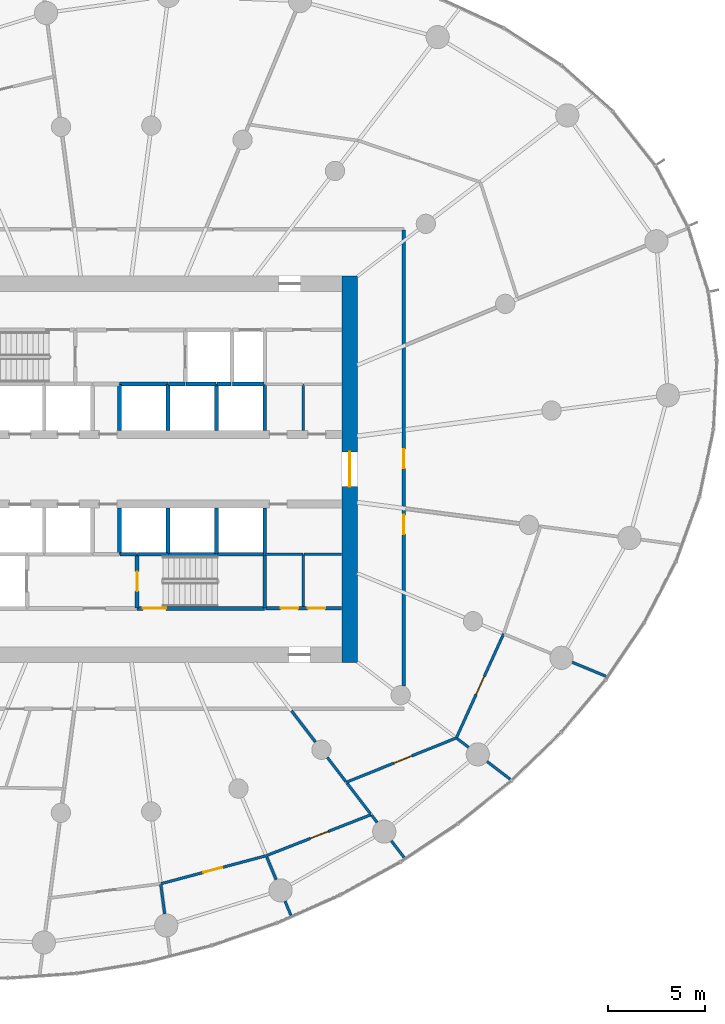
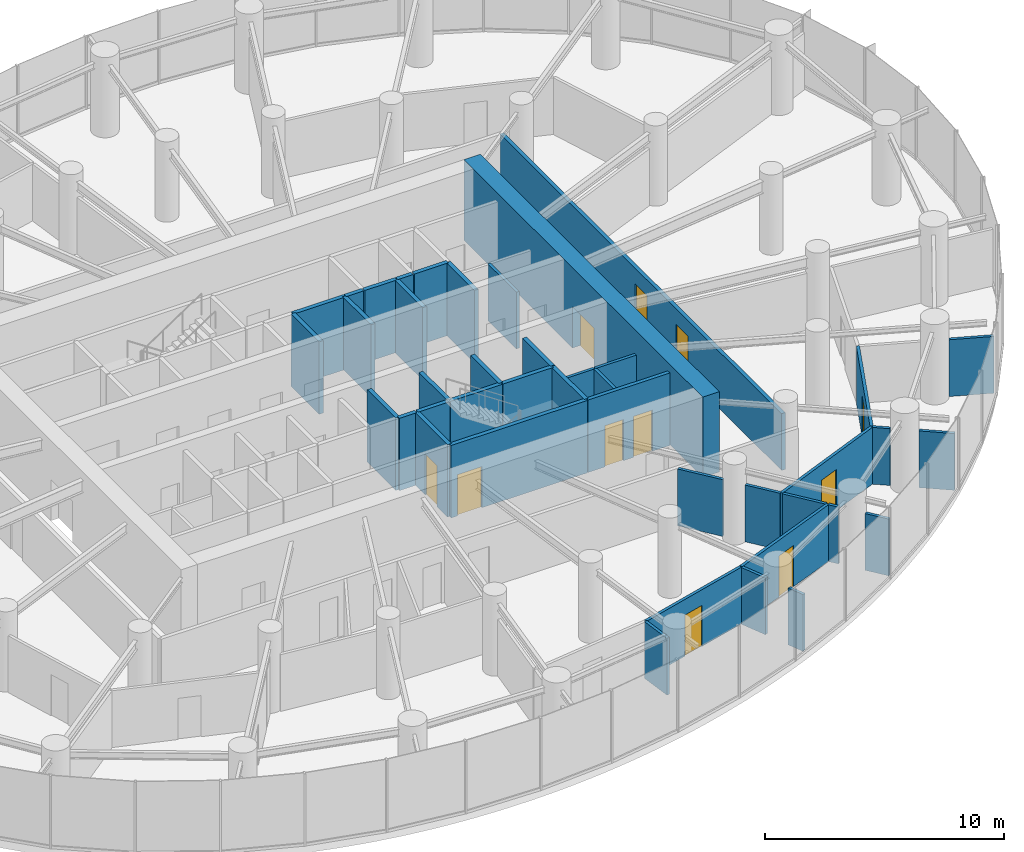
# One storey, part 12 of 17: 42 walls, 11 doors, 11 openings.
"""IFC4 building model written with IfcOpenShell, lengths in metres."""

from ifc_helpers import new_model, si_unit, direction, frame, frame_2d, origin, place, context, subcontext, project, spatial, rectangle, extrude, source, transform, mapped, material, layer, layer_set, type_object, element, fill, save


model = new_model("IFC4")

# Units and contexts
model_context = context("Model", 3, precision=1e-05, world=origin(), true_north=direction((0.0, 1.0)))
body_context = subcontext(model_context, "Body", "Model", "MODEL_VIEW")
ifc_project = project(units=[si_unit("LENGTHUNIT", "METRE"), si_unit("AREAUNIT", "SQUARE_METRE"), si_unit("VOLUMEUNIT", "CUBIC_METRE"), si_unit("PLANEANGLEUNIT", "RADIAN"), si_unit("MASSUNIT", "GRAM", prefix="KILO")], contexts=[model_context])

# Site, building, storey
site_placement = place(None, origin())
site = spatial("IfcSite", under=ifc_project, at=site_placement, CompositionType="ELEMENT")
building_placement = place(site_placement, origin())
building = spatial("IfcBuilding", under=site, at=building_placement, Name="Spindrift Exchange Tower", CompositionType="ELEMENT")
storey_placement = place(building_placement, frame((0.0, 0.0, 88.0)))
storey = spatial("IfcBuildingStorey", under=building, at=storey_placement, Name="L20", CompositionType="ELEMENT", Elevation=88.0)

# Wall, opening, door
ifc_material_1 = material(Name="Concrete 65 MPa", Category="concrete")
ifc_layer_1 = layer(ifc_material_1, 0.800048828125)
ifc_layer_set_1 = layer_set([ifc_layer_1], Name="RC Core Wall 800 Concrete 65 MPa")
wall_type_1 = type_object("IfcWallType", Name="RC Core Wall 800 Concrete 65 MPa", PredefinedType="SHEAR", material=ifc_layer_set_1)
wall_1_placement = place(storey_placement, frame((64.60009765625, 38.0, 0.0), z_axis=(0.0, 0.0, 1.0), x_axis=(0.0, 1.0, 0.0)))
wall_1 = element("IfcWall", 1, at=wall_1_placement, inside=storey, type_object=wall_type_1, Name="Core wall E L20", PredefinedType="SHEAR", context=body_context, shape_type="SweptSolid", body=[
    extrude(rectangle(XDim=20.0, YDim=0.800048828125, at=frame_2d((10.0, 0.0))), origin(), (0.0, 0.0, 1.0), 4.10009765625),
])
opening_1_placement = place(wall_1_placement, frame((9.10009765625, 0.0, 0.0)))
opening_1 = element("IfcOpeningElement", 2, at=opening_1_placement, cuts=wall_1, Name="Opening L20-D2", PredefinedType="OPENING", context=body_context, shape_type="SweptSolid", body=[
    extrude(rectangle(XDim=1.800048828125, YDim=2.10009765625, at=frame_2d((0.89990234375, 1.050048828125))), frame((0.0, 0.409912109375, 0.0), z_axis=(0.0, -1.0, 0.0), x_axis=(1.0, 0.0, 0.0)), (0.0, 0.0, 1.0), 0.820068359375),
])
ifc_material_2 = material(Name="Timber-core fire door", Category="wood")
door_type_1 = type_object("IfcDoorType", Name="DR-LOBBY-1800", OperationType="NOTDEFINED", PredefinedType="DOOR", material=ifc_material_2)
shared_shape_1 = source(origin(), body_context, "Body", "SweptSolid", [
    extrude(rectangle(XDim=1.800048828125, YDim=2.10009765625, at=frame_2d((0.89990234375, 1.050048828125))), frame((0.0, 0.02490234375, 0.0), z_axis=(0.0, -1.0, 0.0), x_axis=(1.0, 0.0, 0.0)), (0.0, 0.0, 1.0), 0.050048828125),
])
door_1_placement = place(opening_1_placement, origin())
door_1 = element("IfcDoor", 3, at=door_1_placement, inside=storey, type_object=door_type_1, Name="L20 Lobby door 2", OperationType="SINGLE_SWING_LEFT", OverallHeight=2.10009765625, OverallWidth=1.800048828125, PredefinedType="DOOR", context=body_context, shape_type="MappedRepresentation", body=[
    mapped(shared_shape_1, transform((0.0, 0.0, 0.0), scale=1.0)),
])
fill(opening_1, door_1)

# Wall, openings, doors
ifc_material_3 = material(Name="Fire-rated plasterboard partition", Category="gypsum")
ifc_layer_2 = layer(ifc_material_3, 0.179931640625)
ifc_layer_set_2 = layer_set([ifc_layer_2], Name="W-CORR-180")
wall_type_2 = type_object("IfcWallType", Name="W-CORR-180", PredefinedType="PARTITIONING", material=ifc_layer_set_2)
wall_2_placement = place(storey_placement, frame((60.22998046875, 40.800048828125, 0.0), z_axis=(0.0, 0.0, 1.0), x_axis=(1.0, 0.0, 0.0)))
wall_2 = element("IfcWall", 4, at=wall_2_placement, inside=storey, type_object=wall_type_2, Name="L20 Partition wall 61", PredefinedType="PARTITIONING", context=body_context, shape_type="SweptSolid", body=[
    extrude(rectangle(XDim=3.949951171875, YDim=0.179931640625, at=frame_2d((1.97509765625, 0.0))), origin(), (0.0, 0.0, 1.0), 3.699951171875),
])
opening_2_placement = place(wall_2_placement, frame((0.800048828125, 0.0, 0.0)))
opening_2 = element("IfcOpeningElement", 5, at=opening_2_placement, cuts=wall_2, Name="Opening L20-D58", PredefinedType="OPENING", context=body_context, shape_type="SweptSolid", body=[
    extrude(rectangle(XDim=0.89990234375, YDim=2.10009765625, at=frame_2d((0.449951171875, 1.050048828125))), frame((0.0, 0.099853515625, 0.0), z_axis=(0.0, -1.0, 0.0), x_axis=(1.0, 0.0, 0.0)), (0.0, 0.0, 1.0), 0.199951171875),
])
opening_3_placement = place(wall_2_placement, frame((2.199951171875, 0.0, 0.0)))
opening_3 = element("IfcOpeningElement", 6, at=opening_3_placement, cuts=wall_2, Name="Opening L20-D59", PredefinedType="OPENING", context=body_context, shape_type="SweptSolid", body=[
    extrude(rectangle(XDim=0.89990234375, YDim=2.10009765625, at=frame_2d((0.449951171875, 1.050048828125))), frame((0.0, 0.099853515625, 0.0), z_axis=(0.0, -1.0, 0.0), x_axis=(1.0, 0.0, 0.0)), (0.0, 0.0, 1.0), 0.199951171875),
])
ifc_material_4 = material(Name="Steel access door", Category="steel")
door_type_2 = type_object("IfcDoorType", Name="DR-RISER-900", OperationType="NOTDEFINED", PredefinedType="DOOR", material=ifc_material_4)
shared_shape_2 = source(origin(), body_context, "Body", "SweptSolid", [
    extrude(rectangle(XDim=0.89990234375, YDim=2.10009765625, at=frame_2d((0.449951171875, 1.050048828125))), frame((0.0, 0.02490234375, 0.0), z_axis=(0.0, -1.0, 0.0), x_axis=(1.0, 0.0, 0.0)), (0.0, 0.0, 1.0), 0.050048828125),
])
door_2_placement = place(opening_2_placement, origin())
door_2 = element("IfcDoor", 7, at=door_2_placement, inside=storey, type_object=door_type_2, Name="L20 Riser door 58", OperationType="SINGLE_SWING_LEFT", OverallHeight=2.10009765625, OverallWidth=0.89990234375, PredefinedType="DOOR", context=body_context, shape_type="MappedRepresentation", body=[
    mapped(shared_shape_2, transform((0.0, 0.0, 0.0), scale=1.0)),
])
fill(opening_2, door_2)
door_3_placement = place(opening_3_placement, origin())
door_3 = element("IfcDoor", 8, at=door_3_placement, inside=storey, type_object=door_type_2, Name="L20 Riser door 59", OperationType="SINGLE_SWING_RIGHT", OverallHeight=2.10009765625, OverallWidth=0.89990234375, PredefinedType="DOOR", context=body_context, shape_type="MappedRepresentation", body=[
    mapped(shared_shape_2, transform((0.0, 0.0, 0.0), scale=1.0)),
])
fill(opening_3, door_3)

# Wall, opening, door
ifc_layer_3 = layer(ifc_material_3, 0.139892578125)
ifc_layer_set_3 = layer_set([ifc_layer_3], Name="W-PART-140")
wall_type_3 = type_object("IfcWallType", Name="W-PART-140", PredefinedType="PARTITIONING", material=ifc_layer_set_3)
wall_3_placement = place(storey_placement, frame((70.11083984375, 34.10302734375, 0.0), z_axis=(0.0, 0.0, 1.0), x_axis=(-0.927526515491, -0.373757358538, 0.0)))
wall_3 = element("IfcWall", 9, at=wall_3_placement, inside=storey, type_object=wall_type_3, Name="L20 Partition wall 72", PredefinedType="PARTITIONING", context=body_context, shape_type="SweptSolid", body=[
    extrude(rectangle(XDim=6.133056640625, YDim=0.139892578125, at=frame_2d((3.06640625, 0.0))), origin(), (0.0, 0.0, 1.0), 2.89990234375),
])
opening_4_placement = place(wall_3_placement, frame((2.48291015625, 0.0, 0.0)))
opening_4 = element("IfcOpeningElement", 10, at=opening_4_placement, cuts=wall_3, Name="Opening L20-D33", PredefinedType="OPENING", context=body_context, shape_type="SweptSolid", body=[
    extrude(rectangle(XDim=1.0, YDim=2.10009765625, at=frame_2d((0.5, 1.050048828125))), frame((0.0, 0.079833984375, 0.0), z_axis=(0.0, -1.0, 0.0), x_axis=(1.0, 0.0, 0.0)), (0.0, 0.0, 1.0), 0.159912109375),
])
door_type_3 = type_object("IfcDoorType", Name="DR-ROOM-1000", OperationType="NOTDEFINED", PredefinedType="DOOR", material=ifc_material_2)
shared_shape_3 = source(origin(), body_context, "Body", "SweptSolid", [
    extrude(rectangle(XDim=1.0, YDim=2.10009765625, at=frame_2d((0.5, 1.050048828125))), frame((0.0, 0.02490234375, 0.0), z_axis=(0.0, -1.0, 0.0), x_axis=(1.0, 0.0, 0.0)), (0.0, 0.0, 1.0), 0.050048828125),
])
door_4_placement = place(opening_4_placement, origin())
door_4 = element("IfcDoor", 11, at=door_4_placement, inside=storey, type_object=door_type_3, Name="L20 Door 33", OperationType="SINGLE_SWING_RIGHT", OverallHeight=2.10009765625, OverallWidth=1.0, PredefinedType="DOOR", context=body_context, shape_type="MappedRepresentation", body=[
    mapped(shared_shape_3, transform((0.0, 0.0, 0.0), scale=1.0)),
])
fill(opening_4, door_4)

wall_4_placement = place(storey_placement, frame((72.554931640625, 39.48583984375, 0.0), z_axis=(0.0, 0.0, 1.0), x_axis=(-0.413427624121, -0.91053698421, 0.0)))
wall_4 = element("IfcWall", 12, at=wall_4_placement, inside=storey, type_object=wall_type_3, Name="L20 Partition wall 76", PredefinedType="PARTITIONING", context=body_context, shape_type="SweptSolid", body=[
    extrude(rectangle(XDim=5.881591796875, YDim=0.139892578125, at=frame_2d((2.94091796875, 0.0))), origin(), (0.0, 0.0, 1.0), 2.89990234375),
])
opening_5_placement = place(wall_4_placement, frame((2.431640625, 0.0, 0.0)))
opening_5 = element("IfcOpeningElement", 13, at=opening_5_placement, cuts=wall_4, Name="Opening L20-D34", PredefinedType="OPENING", context=body_context, shape_type="SweptSolid", body=[
    extrude(rectangle(XDim=1.0, YDim=2.10009765625, at=frame_2d((0.5, 1.050048828125))), frame((0.0, 0.079833984375, 0.0), z_axis=(0.0, -1.0, 0.0), x_axis=(1.0, 0.0, 0.0)), (0.0, 0.0, 1.0), 0.159912109375),
])
door_5_placement = place(opening_5_placement, origin())
door_5 = element("IfcDoor", 14, at=door_5_placement, inside=storey, type_object=door_type_3, Name="L20 Door 34", OperationType="SINGLE_SWING_LEFT", OverallHeight=2.10009765625, OverallWidth=1.0, PredefinedType="DOOR", context=body_context, shape_type="MappedRepresentation", body=[
    mapped(shared_shape_3, transform((0.0, 0.0, 0.0), scale=1.0)),
])
fill(opening_5, door_5)

wall_5_placement = place(storey_placement, frame((65.706298828125, 30.137451171875, 0.0), z_axis=(0.0, 0.0, 1.0), x_axis=(-0.931147570947, -0.364642566247, 0.0)))
wall_5 = element("IfcWall", 15, at=wall_5_placement, inside=storey, type_object=wall_type_3, Name="L20 Partition wall 79", PredefinedType="PARTITIONING", context=body_context, shape_type="SweptSolid", body=[
    extrude(rectangle(XDim=5.828369140625, YDim=0.139892578125, at=frame_2d((2.9140625, 0.0))), origin(), (0.0, 0.0, 1.0), 2.89990234375),
])
opening_6_placement = place(wall_5_placement, frame((2.37841796875, 0.0, 0.0)))
opening_6 = element("IfcOpeningElement", 16, at=opening_6_placement, cuts=wall_5, Name="Opening L20-D30", PredefinedType="OPENING", context=body_context, shape_type="SweptSolid", body=[
    extrude(rectangle(XDim=1.0, YDim=2.10009765625, at=frame_2d((0.5, 1.050048828125))), frame((0.0, 0.079833984375, 0.0), z_axis=(0.0, -1.0, 0.0), x_axis=(1.0, 0.0, 0.0)), (0.0, 0.0, 1.0), 0.159912109375),
])
door_6_placement = place(opening_6_placement, origin())
door_6 = element("IfcDoor", 17, at=door_6_placement, inside=storey, type_object=door_type_3, Name="L20 Door 30", OperationType="SINGLE_SWING_LEFT", OverallHeight=2.10009765625, OverallWidth=1.0, PredefinedType="DOOR", context=body_context, shape_type="MappedRepresentation", body=[
    mapped(shared_shape_3, transform((0.0, 0.0, 0.0), scale=1.0)),
])
fill(opening_6, door_6)

wall_6_placement = place(storey_placement, frame((60.250244140625, 28.00439453125, 0.0), z_axis=(0.0, 0.0, 1.0), x_axis=(-0.966384922243, -0.257099556711, 0.0)))
wall_6 = element("IfcWall", 18, at=wall_6_placement, inside=storey, type_object=wall_type_3, Name="L20 Partition wall 82", PredefinedType="PARTITIONING", context=body_context, shape_type="SweptSolid", body=[
    extrude(rectangle(XDim=5.58642578125, YDim=0.139892578125, at=frame_2d((2.793212890625, 0.0))), origin(), (0.0, 0.0, 1.0), 2.89990234375),
])
opening_7_placement = place(wall_6_placement, frame((2.33642578125, 0.0, 0.0)))
opening_7 = element("IfcOpeningElement", 19, at=opening_7_placement, cuts=wall_6, Name="Opening L20-D29", PredefinedType="OPENING", context=body_context, shape_type="SweptSolid", body=[
    extrude(rectangle(XDim=1.0, YDim=2.10009765625, at=frame_2d((0.5, 1.050048828125))), frame((0.0, 0.079833984375, 0.0), z_axis=(0.0, -1.0, 0.0), x_axis=(1.0, 0.0, 0.0)), (0.0, 0.0, 1.0), 0.159912109375),
])
door_7_placement = place(opening_7_placement, origin())
door_7 = element("IfcDoor", 20, at=door_7_placement, inside=storey, type_object=door_type_3, Name="L20 Door 29", OperationType="SINGLE_SWING_RIGHT", OverallHeight=2.10009765625, OverallWidth=1.0, PredefinedType="DOOR", context=body_context, shape_type="MappedRepresentation", body=[
    mapped(shared_shape_3, transform((0.0, 0.0, 0.0), scale=1.0)),
])
fill(opening_7, door_7)

# Walls
wall_7_placement = place(storey_placement, frame((62.199951171875, 40.889892578125, 0.0), z_axis=(0.0, 0.0, 1.0), x_axis=(0.0, 1.0, 0.0)))
element("IfcWall", 21, at=wall_7_placement, inside=storey, type_object=wall_type_3, Name="L20 Partition wall 102", PredefinedType="PARTITIONING", context=body_context, shape_type="SweptSolid", body=[
    extrude(rectangle(XDim=2.710205078125, YDim=0.139892578125, at=frame_2d((1.35498046875, 0.0))), origin(), (0.0, 0.0, 1.0), 2.89990234375),
])
wall_8_placement = place(storey_placement, frame((62.199951171875, 50.010009765625, 0.0), z_axis=(0.0, 0.0, 1.0), x_axis=(0.0, 1.0, 0.0)))
element("IfcWall", 22, at=wall_8_placement, inside=storey, type_object=wall_type_3, Name="L20 Partition wall 106", PredefinedType="PARTITIONING", context=body_context, shape_type="SweptSolid", body=[
    extrude(rectangle(XDim=2.389892578125, YDim=0.139892578125, at=frame_2d((1.19482421875, 0.0))), origin(), (0.0, 0.0, 1.0), 2.89990234375),
])
wall_9_placement = place(storey_placement, frame((61.583984375, 35.510009765625, 0.0), z_axis=(0.0, 0.0, 1.0), x_axis=(0.608727763541, -0.793379171578, 0.0)))
element("IfcWall", 23, at=wall_9_placement, inside=storey, type_object=wall_type_3, Name="L20 Partition wall 108", PredefinedType="PARTITIONING", context=body_context, shape_type="SweptSolid", body=[
    extrude(rectangle(XDim=2.04150390625, YDim=0.139892578125, at=frame_2d((1.020751953125, 0.0))), origin(), (0.0, 0.0, 1.0), 2.89990234375),
])
wall_10_placement = place(storey_placement, frame((64.466796875, 31.753173828125, 0.0), z_axis=(0.0, 0.0, 1.0), x_axis=(0.608736894437, -0.793372165728, 0.0)))
element("IfcWall", 24, at=wall_10_placement, inside=storey, type_object=wall_type_3, Name="L20 Partition wall 110", PredefinedType="PARTITIONING", context=body_context, shape_type="SweptSolid", body=[
    extrude(rectangle(XDim=1.963623046875, YDim=0.139892578125, at=frame_2d((0.98193359375, 0.0))), origin(), (0.0, 0.0, 1.0), 2.89990234375),
])
wall_11_placement = place(storey_placement, frame((60.22998046875, 43.60009765625, 0.0), z_axis=(0.0, 0.0, 1.0), x_axis=(1.0, 0.0, 0.0)))
element("IfcWall", 25, at=wall_11_placement, inside=storey, type_object=wall_type_3, Name="L20 Partition wall 114", PredefinedType="PARTITIONING", context=body_context, shape_type="SweptSolid", body=[
    extrude(rectangle(XDim=1.93994140625, YDim=0.139892578125, at=frame_2d((0.969970703125, 0.0))), origin(), (0.0, 0.0, 1.0), 2.89990234375),
])
wall_12_placement = place(storey_placement, frame((62.22998046875, 43.60009765625, 0.0), z_axis=(0.0, 0.0, 1.0), x_axis=(1.0, 0.0, 0.0)))
element("IfcWall", 26, at=wall_12_placement, inside=storey, type_object=wall_type_3, Name="L20 Partition wall 116", PredefinedType="PARTITIONING", context=body_context, shape_type="SweptSolid", body=[
    extrude(rectangle(XDim=1.949951171875, YDim=0.139892578125, at=frame_2d((0.97509765625, 0.0))), origin(), (0.0, 0.0, 1.0), 2.89990234375),
])
wall_13_placement = place(storey_placement, frame((76.106689453125, 38.0146484375, 0.0), z_axis=(0.0, 0.0, 1.0), x_axis=(0.923896609049, -0.382642203354, 0.0)))
element("IfcWall", 27, at=wall_13_placement, inside=storey, type_object=wall_type_3, Name="L20 Partition wall 120", PredefinedType="PARTITIONING", context=body_context, shape_type="SweptSolid", body=[
    extrude(rectangle(XDim=1.880859375, YDim=0.139892578125, at=frame_2d((0.9404296875, 0.0))), origin(), (0.0, 0.0, 1.0), 2.89990234375),
])
wall_14_placement = place(storey_placement, frame((63.44091796875, 33.08984375, 0.0), z_axis=(0.0, 0.0, 1.0), x_axis=(0.608800720532, -0.793323189299, 0.0)))
element("IfcWall", 28, at=wall_14_placement, inside=storey, type_object=wall_type_3, Name="L20 Partition wall 123", PredefinedType="PARTITIONING", context=body_context, shape_type="SweptSolid", body=[
    extrude(rectangle(XDim=1.58251953125, YDim=0.139892578125, at=frame_2d((0.791259765625, 0.0))), origin(), (0.0, 0.0, 1.0), 2.89990234375),
])
wall_15_placement = place(storey_placement, frame((54.826416015625, 26.530517578125, 0.0), z_axis=(0.0, 0.0, 1.0), x_axis=(0.13064727716, -0.991428912717, 0.0)))
element("IfcWall", 29, at=wall_15_placement, inside=storey, type_object=wall_type_3, Name="L20 Partition wall 124", PredefinedType="PARTITIONING", context=body_context, shape_type="SweptSolid", body=[
    extrude(rectangle(XDim=1.539794921875, YDim=0.139892578125, at=frame_2d((0.77001953125, 0.0))), origin(), (0.0, 0.0, 1.0), 2.89990234375),
])
wall_16_placement = place(storey_placement, frame((71.69921875, 32.88427734375, 0.0), z_axis=(0.0, 0.0, 1.0), x_axis=(0.793329378559, -0.608792655273, 0.0)))
element("IfcWall", 30, at=wall_16_placement, inside=storey, type_object=wall_type_3, Name="L20 Partition wall 126", PredefinedType="PARTITIONING", context=body_context, shape_type="SweptSolid", body=[
    extrude(rectangle(XDim=1.504150390625, YDim=0.139892578125, at=frame_2d((0.751953125, 0.0))), origin(), (0.0, 0.0, 1.0), 2.89990234375),
])
wall_17_placement = place(storey_placement, frame((60.305908203125, 27.947509765625, 0.0), z_axis=(0.0, 0.0, 1.0), x_axis=(0.382737975599, -0.923856938078, 0.0)))
element("IfcWall", 31, at=wall_17_placement, inside=storey, type_object=wall_type_3, Name="L20 Partition wall 128", PredefinedType="PARTITIONING", context=body_context, shape_type="SweptSolid", body=[
    extrude(rectangle(XDim=1.265625, YDim=0.139892578125, at=frame_2d((0.6328125, 0.0))), origin(), (0.0, 0.0, 1.0), 2.89990234375),
])
wall_18_placement = place(storey_placement, frame((66.75, 28.777587890625, 0.0), z_axis=(0.0, 0.0, 1.0), x_axis=(0.608735888805, -0.793372937326, 0.0)))
element("IfcWall", 32, at=wall_18_placement, inside=storey, type_object=wall_type_3, Name="L20 Partition wall 137", PredefinedType="PARTITIONING", context=body_context, shape_type="SweptSolid", body=[
    extrude(rectangle(XDim=1.07763671875, YDim=0.139892578125, at=frame_2d((0.538818359375, 0.0))), origin(), (0.0, 0.0, 1.0), 2.89990234375),
])
wall_19_placement = place(storey_placement, frame((70.134765625, 34.084716796875, 0.0), z_axis=(0.0, 0.0, 1.0), x_axis=(0.793348849006, -0.608767282121, 0.0)))
element("IfcWall", 33, at=wall_19_placement, inside=storey, type_object=wall_type_3, Name="L20 Partition wall 142", PredefinedType="PARTITIONING", context=body_context, shape_type="SweptSolid", body=[
    extrude(rectangle(XDim=0.76318359375, YDim=0.139892578125, at=frame_2d((0.381591796875, 0.0))), origin(), (0.0, 0.0, 1.0), 2.89990234375),
])
wall_20_placement = place(storey_placement, frame((61.25341796875, 25.660400390625, 0.0), z_axis=(0.0, 0.0, 1.0), x_axis=(0.382846589746, -0.923811933631, 0.0)))
element("IfcWall", 34, at=wall_20_placement, inside=storey, type_object=wall_type_3, Name="L20 Partition wall 143", PredefinedType="PARTITIONING", context=body_context, shape_type="SweptSolid", body=[
    extrude(rectangle(XDim=0.784423828125, YDim=0.139892578125, at=frame_2d((0.39208984375, 0.0))), origin(), (0.0, 0.0, 1.0), 2.89990234375),
])
wall_21_placement = place(storey_placement, frame((65.724609375, 30.11376953125, 0.0), z_axis=(0.0, 0.0, 1.0), x_axis=(0.608916466685, -0.793234351626, 0.0)))
element("IfcWall", 35, at=wall_21_placement, inside=storey, type_object=wall_type_3, Name="L20 Partition wall 147", PredefinedType="PARTITIONING", context=body_context, shape_type="SweptSolid", body=[
    extrude(rectangle(XDim=0.4755859375, YDim=0.139892578125, at=frame_2d((0.23779296875, 0.0))), origin(), (0.0, 0.0, 1.0), 2.89990234375),
])

# Wall, openings, doors
ifc_layer_4 = layer(ifc_material_3, 0.179931640625)
ifc_layer_set_4 = layer_set([ifc_layer_4], Name="W-PLANT-180")
wall_type_4 = type_object("IfcWallType", Name="W-PLANT-180", PredefinedType="PARTITIONING", material=ifc_layer_set_4)
wall_22_placement = place(storey_placement, frame((67.39990234375, 60.3701171875, 0.0), z_axis=(0.0, 0.0, 1.0), x_axis=(0.0, -1.0, 0.0)))
wall_22 = element("IfcWall", 36, at=wall_22_placement, inside=storey, type_object=wall_type_4, Name="L20 Partition wall 59", PredefinedType="PARTITIONING", context=body_context, shape_type="SweptSolid", body=[
    extrude(rectangle(XDim=23.58251953125, YDim=0.179931640625, at=frame_2d((11.791259765625, 0.0))), origin(), (0.0, 0.0, 1.0), 2.89990234375),
])
opening_8_placement = place(wall_22_placement, frame((14.732421875, 0.0, 0.0)))
opening_8 = element("IfcOpeningElement", 37, at=opening_8_placement, cuts=wall_22, Name="Opening L20-D32", PredefinedType="OPENING", context=body_context, shape_type="SweptSolid", body=[
    extrude(rectangle(XDim=1.0, YDim=2.10009765625, at=frame_2d((0.5, 1.050048828125))), frame((0.0, 0.099853515625, 0.0), z_axis=(0.0, -1.0, 0.0), x_axis=(1.0, 0.0, 0.0)), (0.0, 0.0, 1.0), 0.199951171875),
])
opening_9_placement = place(wall_22_placement, frame((11.33251953125, 0.0, 0.0)))
opening_9 = element("IfcOpeningElement", 38, at=opening_9_placement, cuts=wall_22, Name="Opening L20-D36", PredefinedType="OPENING", context=body_context, shape_type="SweptSolid", body=[
    extrude(rectangle(XDim=1.0, YDim=2.10009765625, at=frame_2d((0.5, 1.050048828125))), frame((0.0, 0.099853515625, 0.0), z_axis=(0.0, -1.0, 0.0), x_axis=(1.0, 0.0, 0.0)), (0.0, 0.0, 1.0), 0.199951171875),
])
door_8_placement = place(opening_8_placement, origin())
door_8 = element("IfcDoor", 39, at=door_8_placement, inside=storey, type_object=door_type_3, Name="L20 Door 32", OperationType="SINGLE_SWING_LEFT", OverallHeight=2.10009765625, OverallWidth=1.0, PredefinedType="DOOR", context=body_context, shape_type="MappedRepresentation", body=[
    mapped(shared_shape_3, transform((0.0, 0.0, 0.0), scale=1.0)),
])
fill(opening_8, door_8)
door_9_placement = place(opening_9_placement, origin())
door_9 = element("IfcDoor", 40, at=door_9_placement, inside=storey, type_object=door_type_3, Name="L20 Door 36", OperationType="SINGLE_SWING_LEFT", OverallHeight=2.10009765625, OverallWidth=1.0, PredefinedType="DOOR", context=body_context, shape_type="MappedRepresentation", body=[
    mapped(shared_shape_3, transform((0.0, 0.0, 0.0), scale=1.0)),
])
fill(opening_9, door_9)

# Walls
ifc_material_5 = material(Name="Concrete 40 MPa", Category="concrete")
ifc_layer_5 = layer(ifc_material_5, 0.199951171875)
ifc_layer_set_5 = layer_set([ifc_layer_5], Name="W-SHAFT-200")
wall_type_5 = type_object("IfcWallType", Name="W-SHAFT-200", PredefinedType="SOLIDWALL", material=ifc_layer_set_5)
wall_23_placement = place(storey_placement, frame((55.199951171875, 52.39990234375, 0.0), z_axis=(0.0, 0.0, 1.0), x_axis=(-1.0, 0.0, 0.0)))
element("IfcWall", 41, at=wall_23_placement, inside=storey, type_object=wall_type_5, Name="L20 Shaft wall 18", PredefinedType="SOLIDWALL", context=body_context, shape_type="SweptSolid", body=[
    extrude(rectangle(XDim=2.5, YDim=0.199951171875, at=frame_2d((1.25, 0.0))), origin(), (0.0, 0.0, 1.0), 3.699951171875),
])
wall_24_placement = place(storey_placement, frame((52.699951171875, 45.989990234375, 0.0), z_axis=(0.0, 0.0, 1.0), x_axis=(0.0, -1.0, 0.0)))
element("IfcWall", 42, at=wall_24_placement, inside=storey, type_object=wall_type_5, Name="L20 Shaft wall 31", PredefinedType="SOLIDWALL", context=body_context, shape_type="SweptSolid", body=[
    extrude(rectangle(XDim=2.389892578125, YDim=0.199951171875, at=frame_2d((1.19482421875, 0.0))), origin(), (0.0, 0.0, 1.0), 3.699951171875),
])
for number, where, z_axis, x_axis, name in (
    (43, (52.699951171875, 52.3701171875, 0.0), (0.0, 0.0, 1.0), (0.0, -1.0, 0.0), "L20 Shaft wall 32"),
    (44, (55.199951171875, 50.010009765625, 0.0), (0.0, 0.0, 1.0), (0.0, 1.0, 0.0), "L20 Shaft wall 34"),
):
    element("IfcWall", number, at=place(storey_placement, frame(where, z_axis=z_axis, x_axis=x_axis)), inside=storey, type_object=wall_type_5, Name=name, PredefinedType="SOLIDWALL", context=body_context, shape_type="SweptSolid", body=[
        extrude(rectangle(XDim=2.360107421875, YDim=0.199951171875, at=frame_2d((1.18017578125, 0.0))), origin(), (0.0, 0.0, 1.0), 3.699951171875),
    ])
wall_25_placement = place(storey_placement, frame((57.699951171875, 50.010009765625, 0.0), z_axis=(0.0, 0.0, 1.0), x_axis=(0.0, 1.0, 0.0)))
element("IfcWall", 45, at=wall_25_placement, inside=storey, type_object=wall_type_5, Name="L20 Shaft wall 36", PredefinedType="SOLIDWALL", context=body_context, shape_type="SweptSolid", body=[
    extrude(rectangle(XDim=2.389892578125, YDim=0.199951171875, at=frame_2d((1.19482421875, 0.0))), origin(), (0.0, 0.0, 1.0), 3.699951171875),
])
wall_26_placement = place(storey_placement, frame((60.199951171875, 50.010009765625, 0.0), z_axis=(0.0, 0.0, 1.0), x_axis=(0.0, 1.0, 0.0)))
element("IfcWall", 46, at=wall_26_placement, inside=storey, type_object=wall_type_5, Name="L20 Shaft wall 38", PredefinedType="SOLIDWALL", context=body_context, shape_type="SweptSolid", body=[
    extrude(rectangle(XDim=2.360107421875, YDim=0.199951171875, at=frame_2d((1.18017578125, 0.0))), origin(), (0.0, 0.0, 1.0), 3.699951171875),
])
wall_27_placement = place(storey_placement, frame((60.169921875, 52.39990234375, 0.0), z_axis=(0.0, 0.0, 1.0), x_axis=(-1.0, 0.0, 0.0)))
element("IfcWall", 47, at=wall_27_placement, inside=storey, type_object=wall_type_5, Name="L20 Shaft wall 42", PredefinedType="SOLIDWALL", context=body_context, shape_type="SweptSolid", body=[
    extrude(rectangle(XDim=1.639892578125, YDim=0.199951171875, at=frame_2d((0.81982421875, 0.0))), origin(), (0.0, 0.0, 1.0), 3.699951171875),
])
wall_28_placement = place(storey_placement, frame((57.669921875, 52.39990234375, 0.0), z_axis=(0.0, 0.0, 1.0), x_axis=(-1.0, 0.0, 0.0)))
element("IfcWall", 48, at=wall_28_placement, inside=storey, type_object=wall_type_5, Name="L20 Shaft wall 47", PredefinedType="SOLIDWALL", context=body_context, shape_type="SweptSolid", body=[
    extrude(rectangle(XDim=1.5400390625, YDim=0.199951171875, at=frame_2d((0.77001953125, 0.0))), origin(), (0.0, 0.0, 1.0), 3.699951171875),
])
wall_29_placement = place(storey_placement, frame((56.070068359375, 52.39990234375, 0.0), z_axis=(0.0, 0.0, 1.0), x_axis=(-1.0, 0.0, 0.0)))
element("IfcWall", 49, at=wall_29_placement, inside=storey, type_object=wall_type_5, Name="L20 Shaft wall 53", PredefinedType="SOLIDWALL", context=body_context, shape_type="SweptSolid", body=[
    extrude(rectangle(XDim=0.840087890625, YDim=0.199951171875, at=frame_2d((0.419921875, 0.0))), origin(), (0.0, 0.0, 1.0), 3.699951171875),
])
wall_30_placement = place(storey_placement, frame((58.469970703125, 52.39990234375, 0.0), z_axis=(0.0, 0.0, 1.0), x_axis=(-1.0, 0.0, 0.0)))
element("IfcWall", 50, at=wall_30_placement, inside=storey, type_object=wall_type_5, Name="L20 Shaft wall 55", PredefinedType="SOLIDWALL", context=body_context, shape_type="SweptSolid", body=[
    extrude(rectangle(XDim=0.739990234375, YDim=0.199951171875, at=frame_2d((0.3701171875, 0.0))), origin(), (0.0, 0.0, 1.0), 3.699951171875),
])

# Wall, opening, door
ifc_layer_6 = layer(ifc_material_5, 0.199951171875)
ifc_layer_set_6 = layer_set([ifc_layer_6], Name="W-SHAFT-200-LB")
wall_type_6 = type_object("IfcWallType", Name="W-SHAFT-200-LB", PredefinedType="SOLIDWALL", material=ifc_layer_set_6)
wall_31_placement = place(storey_placement, frame((53.60009765625, 40.800048828125, 0.0), z_axis=(0.0, 0.0, 1.0), x_axis=(1.0, 0.0, 0.0)))
wall_31 = element("IfcWall", 51, at=wall_31_placement, inside=storey, type_object=wall_type_6, Name="L20 Shaft wall 2", PredefinedType="SOLIDWALL", context=body_context, shape_type="SweptSolid", body=[
    extrude(rectangle(XDim=6.599853515625, YDim=0.199951171875, at=frame_2d((3.2998046875, 0.0))), origin(), (0.0, 0.0, 1.0), 3.699951171875),
])
opening_10_placement = place(wall_31_placement, frame((0.300048828125, 0.0, 0.0)))
opening_10 = element("IfcOpeningElement", 52, at=opening_10_placement, cuts=wall_31, Name="Opening L20-D16", PredefinedType="OPENING", context=body_context, shape_type="SweptSolid", body=[
    extrude(rectangle(XDim=1.199951171875, YDim=2.10009765625, at=frame_2d((0.60009765625, 1.050048828125))), frame((0.0, 0.10986328125, 0.0), z_axis=(0.0, -1.0, 0.0), x_axis=(1.0, 0.0, 0.0)), (0.0, 0.0, 1.0), 0.219970703125),
])
ifc_material_6 = material(Name="Steel fire door", Category="steel")
door_type_4 = type_object("IfcDoorType", Name="DR-STAIR-1200", OperationType="NOTDEFINED", PredefinedType="DOOR", material=ifc_material_6)
shared_shape_4 = source(origin(), body_context, "Body", "SweptSolid", [
    extrude(rectangle(XDim=1.199951171875, YDim=2.10009765625, at=frame_2d((0.60009765625, 1.050048828125))), frame((0.0, 0.02490234375, 0.0), z_axis=(0.0, -1.0, 0.0), x_axis=(1.0, 0.0, 0.0)), (0.0, 0.0, 1.0), 0.050048828125),
])
door_10_placement = place(opening_10_placement, origin())
door_10 = element("IfcDoor", 53, at=door_10_placement, inside=storey, type_object=door_type_4, Name="L20 Stair door 16", OperationType="SINGLE_SWING_LEFT", OverallHeight=2.10009765625, OverallWidth=1.199951171875, PredefinedType="DOOR", context=body_context, shape_type="MappedRepresentation", body=[
    mapped(shared_shape_4, transform((0.0, 0.0, 0.0), scale=1.0)),
])
fill(opening_10, door_10)

# Wall
wall_32_placement = place(storey_placement, frame((60.199951171875, 40.830078125, 0.0), z_axis=(0.0, 0.0, 1.0), x_axis=(0.0, 1.0, 0.0)))
element("IfcWall", 54, at=wall_32_placement, inside=storey, type_object=wall_type_6, Name="L20 Shaft wall 10", PredefinedType="SOLIDWALL", context=body_context, shape_type="SweptSolid", body=[
    extrude(rectangle(XDim=2.77001953125, YDim=0.199951171875, at=frame_2d((1.385009765625, 0.0))), origin(), (0.0, 0.0, 1.0), 3.699951171875),
])

# Wall, opening, door
wall_33_placement = place(storey_placement, frame((53.60009765625, 43.60009765625, 0.0), z_axis=(0.0, 0.0, 1.0), x_axis=(0.0, -1.0, 0.0)))
wall_33 = element("IfcWall", 55, at=wall_33_placement, inside=storey, type_object=wall_type_6, Name="L20 Shaft wall 11", PredefinedType="SOLIDWALL", context=body_context, shape_type="SweptSolid", body=[
    extrude(rectangle(XDim=2.77001953125, YDim=0.199951171875, at=frame_2d((1.385009765625, 0.0))), origin(), (0.0, 0.0, 1.0), 3.699951171875),
])
opening_11_placement = place(wall_33_placement, frame((0.89990234375, 0.0, 0.0)))
opening_11 = element("IfcOpeningElement", 56, at=opening_11_placement, cuts=wall_33, Name="Opening L20-D17", PredefinedType="OPENING", context=body_context, shape_type="SweptSolid", body=[
    extrude(rectangle(XDim=1.0, YDim=2.10009765625, at=frame_2d((0.5, 1.050048828125))), frame((0.0, 0.10986328125, 0.0), z_axis=(0.0, -1.0, 0.0), x_axis=(1.0, 0.0, 0.0)), (0.0, 0.0, 1.0), 0.219970703125),
])
door_type_5 = type_object("IfcDoorType", Name="DR-STAIR-1000", OperationType="NOTDEFINED", PredefinedType="DOOR", material=ifc_material_6)
shared_shape_5 = source(origin(), body_context, "Body", "SweptSolid", [
    extrude(rectangle(XDim=1.0, YDim=2.10009765625, at=frame_2d((0.5, 1.050048828125))), frame((0.0, 0.02490234375, 0.0), z_axis=(0.0, -1.0, 0.0), x_axis=(1.0, 0.0, 0.0)), (0.0, 0.0, 1.0), 0.050048828125),
])
door_11_placement = place(opening_11_placement, origin())
door_11 = element("IfcDoor", 57, at=door_11_placement, inside=storey, type_object=door_type_5, Name="L20 Stair door 17", OperationType="SINGLE_SWING_RIGHT", OverallHeight=2.10009765625, OverallWidth=1.0, PredefinedType="DOOR", context=body_context, shape_type="MappedRepresentation", body=[
    mapped(shared_shape_5, transform((0.0, 0.0, 0.0), scale=1.0)),
])
fill(opening_11, door_11)

# Walls
wall_34_placement = place(storey_placement, frame((55.199951171875, 43.60009765625, 0.0), z_axis=(0.0, 0.0, 1.0), x_axis=(1.0, 0.0, 0.0)))
element("IfcWall", 58, at=wall_34_placement, inside=storey, type_object=wall_type_6, Name="L20 Shaft wall 19", PredefinedType="SOLIDWALL", context=body_context, shape_type="SweptSolid", body=[
    extrude(rectangle(XDim=2.5, YDim=0.199951171875, at=frame_2d((1.25, 0.0))), origin(), (0.0, 0.0, 1.0), 3.699951171875),
])
wall_35_placement = place(storey_placement, frame((57.72998046875, 43.60009765625, 0.0), z_axis=(0.0, 0.0, 1.0), x_axis=(1.0, 0.0, 0.0)))
element("IfcWall", 59, at=wall_35_placement, inside=storey, type_object=wall_type_6, Name="L20 Shaft wall 20", PredefinedType="SOLIDWALL", context=body_context, shape_type="SweptSolid", body=[
    extrude(rectangle(XDim=2.43994140625, YDim=0.199951171875, at=frame_2d((1.219970703125, 0.0))), origin(), (0.0, 0.0, 1.0), 3.699951171875),
])
for number, where, z_axis, x_axis, name in (
    (60, (55.199951171875, 43.6298828125, 0.0), (0.0, 0.0, 1.0), (0.0, 1.0, 0.0), "L20 Shaft wall 33"),
    (61, (57.699951171875, 43.6298828125, 0.0), (0.0, 0.0, 1.0), (0.0, 1.0, 0.0), "L20 Shaft wall 35"),
    (62, (60.199951171875, 43.6298828125, 0.0), (0.0, 0.0, 1.0), (0.0, 1.0, 0.0), "L20 Shaft wall 37"),
):
    element("IfcWall", number, at=place(storey_placement, frame(where, z_axis=z_axis, x_axis=x_axis)), inside=storey, type_object=wall_type_6, Name=name, PredefinedType="SOLIDWALL", context=body_context, shape_type="SweptSolid", body=[
        extrude(rectangle(XDim=2.360107421875, YDim=0.199951171875, at=frame_2d((1.18017578125, 0.0))), origin(), (0.0, 0.0, 1.0), 3.699951171875),
    ])
wall_36_placement = place(storey_placement, frame((53.6298828125, 43.60009765625, 0.0), z_axis=(0.0, 0.0, 1.0), x_axis=(1.0, 0.0, 0.0)))
element("IfcWall", 63, at=wall_36_placement, inside=storey, type_object=wall_type_6, Name="L20 Shaft wall 46", PredefinedType="SOLIDWALL", context=body_context, shape_type="SweptSolid", body=[
    extrude(rectangle(XDim=1.5400390625, YDim=0.199951171875, at=frame_2d((0.77001953125, 0.0))), origin(), (0.0, 0.0, 1.0), 3.699951171875),
])
wall_37_placement = place(storey_placement, frame((52.72998046875, 43.60009765625, 0.0), z_axis=(0.0, 0.0, 1.0), x_axis=(1.0, 0.0, 0.0)))
element("IfcWall", 64, at=wall_37_placement, inside=storey, type_object=wall_type_6, Name="L20 Shaft wall 52", PredefinedType="SOLIDWALL", context=body_context, shape_type="SweptSolid", body=[
    extrude(rectangle(XDim=0.840087890625, YDim=0.199951171875, at=frame_2d((0.419921875, 0.0))), origin(), (0.0, 0.0, 1.0), 3.699951171875),
])

save(model, "model.ifc")
